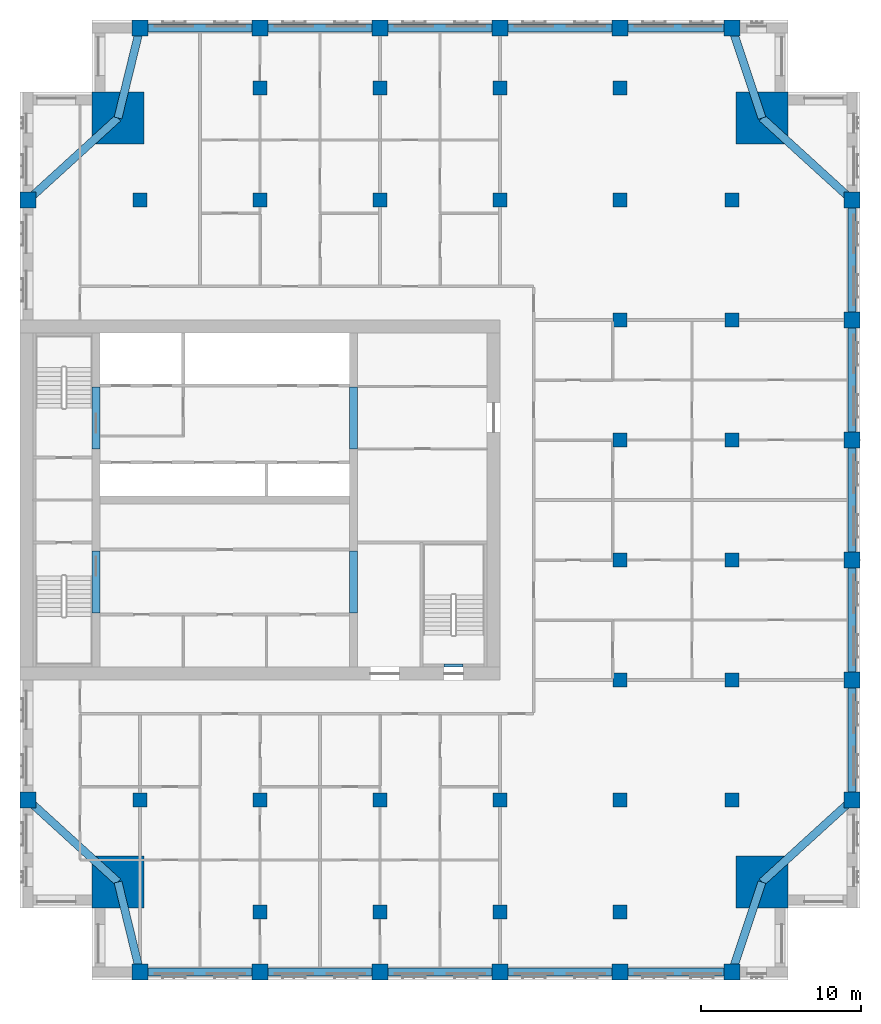
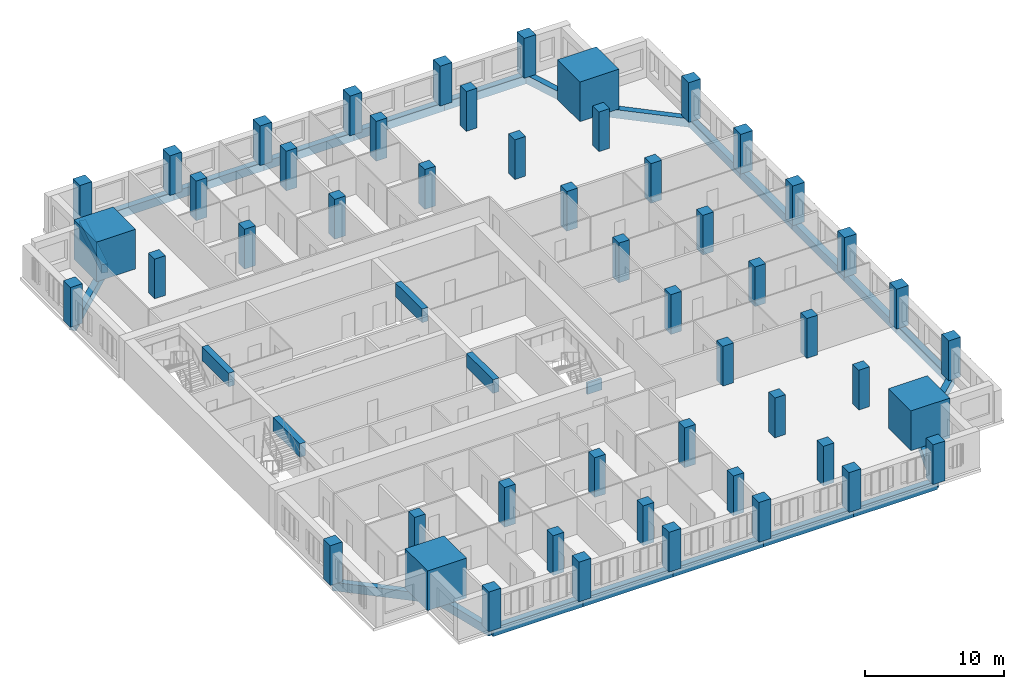
# One storey, part 1 of 14: 52 columns, 28 beams.
"""IFC4 building model written with IfcOpenShell, lengths in metres."""

from ifc_helpers import new_model, si_unit, direction, frame, origin, origin_2d, place, context, subcontext, project, spatial, rectangle, extrude, material, material_profile, profile_set, type_object, element, save


model = new_model("IFC4")

# Units and contexts
model_context = context("Model", 3, precision=1e-05, world=origin(), true_north=direction((0.0, 1.0)))
body_context = subcontext(model_context, "Body", "Model", "MODEL_VIEW")
ifc_project = project(units=[si_unit("LENGTHUNIT", "METRE"), si_unit("AREAUNIT", "SQUARE_METRE"), si_unit("VOLUMEUNIT", "CUBIC_METRE"), si_unit("PLANEANGLEUNIT", "RADIAN"), si_unit("MASSUNIT", "GRAM", prefix="KILO")], contexts=[model_context])

# Site, building, storey
site_placement = place(None, origin())
site = spatial("IfcSite", under=ifc_project, at=site_placement, CompositionType="ELEMENT")
building_placement = place(site_placement, origin())
building = spatial("IfcBuilding", under=site, at=building_placement, Name="Tamorin Gate", CompositionType="ELEMENT")
storey_placement = place(building_placement, frame((0.0, 0.0, 193.199951171875)))
storey = spatial("IfcBuildingStorey", under=building, at=storey_placement, Name="L47", CompositionType="ELEMENT", Elevation=193.199951171875)

# Columns
ifc_material_1 = material(Name="Concrete C60/75", Category="concrete")
ifc_material_profile_1 = material_profile(ifc_material_1, rectangle(XDim=1.0, YDim=1.0, at=origin_2d()), Name="RC 1000x1000")
ifc_profile_set_1 = profile_set([ifc_material_profile_1], Name="Concrete C60/75")
column_type_1 = type_object("IfcColumnType", Name="RC column 1000x1000 C60/75", PredefinedType="COLUMN", material=ifc_profile_set_1)
for number, where, z_axis, x_axis, name in (
    (1, (37.5, 41.75, 0.0), (0.0, 0.0, 1.0), (1.0, 0.0, 0.0), "Ring column L47"),
    (2, (45.0, 41.75, 0.0), (0.0, 0.0, 1.0), (1.0, 0.0, 0.0), "Ring column L47"),
    (3, (52.5, 41.75, 0.0), (0.0, 0.0, 1.0), (1.0, 0.0, 0.0), "Ring column L47"),
    (4, (60.0, 41.75, 0.0), (0.0, 0.0, 1.0), (1.0, 0.0, 0.0), "Ring column L47"),
    (5, (67.5, 41.75, 0.0), (0.0, 0.0, 1.0), (1.0, 0.0, 0.0), "Ring column L47"),
    (6, (74.5, 41.75, 0.0), (0.0, 0.0, 1.0), (1.0, 0.0, 0.0), "Ring column L47"),
    (7, (37.5, 100.75, 0.0), (0.0, 0.0, 1.0), (1.0, 0.0, 0.0), "Ring column L47"),
    (8, (45.0, 100.75, 0.0), (0.0, 0.0, 1.0), (1.0, 0.0, 0.0), "Ring column L47"),
    (9, (52.5, 100.75, 0.0), (0.0, 0.0, 1.0), (1.0, 0.0, 0.0), "Ring column L47"),
    (10, (60.0, 100.75, 0.0), (0.0, 0.0, 1.0), (1.0, 0.0, 0.0), "Ring column L47"),
    (11, (67.5, 100.75, 0.0), (0.0, 0.0, 1.0), (1.0, 0.0, 0.0), "Ring column L47"),
    (12, (74.5, 100.75, 0.0), (0.0, 0.0, 1.0), (1.0, 0.0, 0.0), "Ring column L47"),
    (13, (30.5, 52.5, 0.0), (0.0, 0.0, 1.0), (1.0, 0.0, 0.0), "Ring column L47"),
    (14, (30.5, 90.0, 0.0), (0.0, 0.0, 1.0), (1.0, 0.0, 0.0), "Ring column L47"),
    (15, (82.0, 52.5, 0.0), (0.0, 0.0, 1.0), (1.0, 0.0, 0.0), "Ring column L47"),
    (16, (82.0, 60.0, 0.0), (0.0, 0.0, 1.0), (1.0, 0.0, 0.0), "Ring column L47"),
    (17, (82.0, 67.5, 0.0), (0.0, 0.0, 1.0), (1.0, 0.0, 0.0), "Ring column L47"),
    (18, (82.0, 75.0, 0.0), (0.0, 0.0, 1.0), (1.0, 0.0, 0.0), "Ring column L47"),
    (19, (82.0, 82.5, 0.0), (0.0, 0.0, 1.0), (1.0, 0.0, 0.0), "Ring column L47"),
    (20, (82.0, 90.0, 0.0), (0.0, 0.0, 1.0), (1.0, 0.0, 0.0), "Ring column L47"),
):
    element("IfcColumn", number, at=place(storey_placement, frame(where, z_axis=z_axis, x_axis=x_axis)), inside=storey, type_object=column_type_1, Name=name, PredefinedType="COLUMN", context=body_context, shape_type="SweptSolid", body=[
        extrude(rectangle(XDim=1.0, YDim=1.0, at=origin_2d()), origin(), (0.0, 0.0, 1.0), 3.5),
    ])
ifc_material_profile_2 = material_profile(ifc_material_1, rectangle(XDim=3.25, YDim=3.25, at=origin_2d()), Name="RC 3250x3250")
ifc_profile_set_2 = profile_set([ifc_material_profile_2], Name="Concrete C60/75")
column_type_2 = type_object("IfcColumnType", Name="RC column 3250x3250 C60/75", PredefinedType="COLUMN", material=ifc_profile_set_2)
for number, where, z_axis, x_axis, name in (
    (21, (36.125, 47.375, 0.0), (0.0, 0.0, 1.0), (1.0, 0.0, 0.0), "Mega column SW L47"),
    (22, (76.375, 47.375, 0.0), (0.0, 0.0, 1.0), (1.0, 0.0, 0.0), "Mega column SE L47"),
    (23, (36.125, 95.125, 0.0), (0.0, 0.0, 1.0), (1.0, 0.0, 0.0), "Mega column NW L47"),
    (24, (76.375, 95.125, 0.0), (0.0, 0.0, 1.0), (1.0, 0.0, 0.0), "Mega column NE L47"),
):
    element("IfcColumn", number, at=place(storey_placement, frame(where, z_axis=z_axis, x_axis=x_axis)), inside=storey, type_object=column_type_2, Name=name, PredefinedType="COLUMN", context=body_context, shape_type="SweptSolid", body=[
        extrude(rectangle(XDim=3.25, YDim=3.25, at=origin_2d()), origin(), (0.0, 0.0, 1.0), 3.5),
    ])
ifc_material_profile_3 = material_profile(ifc_material_1, rectangle(XDim=0.89990234375, YDim=0.89990234375, at=origin_2d()), Name="RC 900x900")
ifc_profile_set_3 = profile_set([ifc_material_profile_3], Name="Concrete C60/75")
column_type_3 = type_object("IfcColumnType", Name="RC column 900x900 C60/75", PredefinedType="COLUMN", material=ifc_profile_set_3)
for number, where, z_axis, x_axis, name in (
    (25, (37.5, 52.5, 0.0), (0.0, 0.0, 1.0), (1.0, 0.0, 0.0), "Interior column L47"),
    (26, (37.5, 90.0, 0.0), (0.0, 0.0, 1.0), (1.0, 0.0, 0.0), "Interior column L47"),
    (27, (45.0, 45.5, 0.0), (0.0, 0.0, 1.0), (1.0, 0.0, 0.0), "Interior column L47"),
    (28, (45.0, 52.5, 0.0), (0.0, 0.0, 1.0), (1.0, 0.0, 0.0), "Interior column L47"),
    (29, (45.0, 90.0, 0.0), (0.0, 0.0, 1.0), (1.0, 0.0, 0.0), "Interior column L47"),
    (30, (45.0, 97.0, 0.0), (0.0, 0.0, 1.0), (1.0, 0.0, 0.0), "Interior column L47"),
    (31, (52.5, 45.5, 0.0), (0.0, 0.0, 1.0), (1.0, 0.0, 0.0), "Interior column L47"),
    (32, (52.5, 52.5, 0.0), (0.0, 0.0, 1.0), (1.0, 0.0, 0.0), "Interior column L47"),
    (33, (52.5, 90.0, 0.0), (0.0, 0.0, 1.0), (1.0, 0.0, 0.0), "Interior column L47"),
    (34, (52.5, 97.0, 0.0), (0.0, 0.0, 1.0), (1.0, 0.0, 0.0), "Interior column L47"),
    (35, (60.0, 45.5, 0.0), (0.0, 0.0, 1.0), (1.0, 0.0, 0.0), "Interior column L47"),
    (36, (60.0, 52.5, 0.0), (0.0, 0.0, 1.0), (1.0, 0.0, 0.0), "Interior column L47"),
    (37, (60.0, 90.0, 0.0), (0.0, 0.0, 1.0), (1.0, 0.0, 0.0), "Interior column L47"),
    (38, (60.0, 97.0, 0.0), (0.0, 0.0, 1.0), (1.0, 0.0, 0.0), "Interior column L47"),
    (39, (67.5, 45.5, 0.0), (0.0, 0.0, 1.0), (1.0, 0.0, 0.0), "Interior column L47"),
    (40, (67.5, 52.5, 0.0), (0.0, 0.0, 1.0), (1.0, 0.0, 0.0), "Interior column L47"),
    (41, (67.5, 60.0, 0.0), (0.0, 0.0, 1.0), (1.0, 0.0, 0.0), "Interior column L47"),
    (42, (67.5, 67.5, 0.0), (0.0, 0.0, 1.0), (1.0, 0.0, 0.0), "Interior column L47"),
    (43, (67.5, 75.0, 0.0), (0.0, 0.0, 1.0), (1.0, 0.0, 0.0), "Interior column L47"),
    (44, (67.5, 82.5, 0.0), (0.0, 0.0, 1.0), (1.0, 0.0, 0.0), "Interior column L47"),
    (45, (67.5, 90.0, 0.0), (0.0, 0.0, 1.0), (1.0, 0.0, 0.0), "Interior column L47"),
    (46, (67.5, 97.0, 0.0), (0.0, 0.0, 1.0), (1.0, 0.0, 0.0), "Interior column L47"),
    (47, (74.5, 52.5, 0.0), (0.0, 0.0, 1.0), (1.0, 0.0, 0.0), "Interior column L47"),
    (48, (74.5, 60.0, 0.0), (0.0, 0.0, 1.0), (1.0, 0.0, 0.0), "Interior column L47"),
    (49, (74.5, 67.5, 0.0), (0.0, 0.0, 1.0), (1.0, 0.0, 0.0), "Interior column L47"),
    (50, (74.5, 75.0, 0.0), (0.0, 0.0, 1.0), (1.0, 0.0, 0.0), "Interior column L47"),
    (51, (74.5, 82.5, 0.0), (0.0, 0.0, 1.0), (1.0, 0.0, 0.0), "Interior column L47"),
    (52, (74.5, 90.0, 0.0), (0.0, 0.0, 1.0), (1.0, 0.0, 0.0), "Interior column L47"),
):
    element("IfcColumn", number, at=place(storey_placement, frame(where, z_axis=z_axis, x_axis=x_axis)), inside=storey, type_object=column_type_3, Name=name, PredefinedType="COLUMN", context=body_context, shape_type="SweptSolid", body=[
        extrude(rectangle(XDim=0.89990234375, YDim=0.89990234375, at=origin_2d()), origin(), (0.0, 0.0, 1.0), 3.5),
    ])

# Beams
ifc_material_profile_4 = material_profile(ifc_material_1, rectangle(XDim=0.5, YDim=1.199951171875, at=origin_2d()), Name="RC 500x1200")
ifc_profile_set_4 = profile_set([ifc_material_profile_4], Name="Concrete C60/75")
beam_type_1 = type_object("IfcBeamType", Name="RC coupling beam 500x1200 C60/75", PredefinedType="BEAM", material=ifc_profile_set_4)
for number, where, z_axis, x_axis, name in (
    (53, (34.75, 64.199951171875, 2.900146484375), (0.0, 1.0, 0.0), (-1.0, 0.0, 0.0), "Coupling beam L47"),
    (54, (34.75, 74.449951171875, 2.900146484375), (0.0, 1.0, 0.0), (-1.0, 0.0, 0.0), "Coupling beam L47"),
    (55, (50.85009765625, 64.199951171875, 2.900146484375), (0.0, 1.0, 0.0), (-1.0, 0.0, 0.0), "Coupling beam L47"),
    (56, (50.85009765625, 74.449951171875, 2.900146484375), (0.0, 1.0, 0.0), (-1.0, 0.0, 0.0), "Coupling beam L47"),
):
    element("IfcBeam", number, at=place(storey_placement, frame(where, z_axis=z_axis, x_axis=x_axis)), inside=storey, type_object=beam_type_1, Name=name, PredefinedType="BEAM", context=body_context, shape_type="SweptSolid", body=[
        extrude(rectangle(XDim=0.5, YDim=1.199951171875, at=origin_2d()), origin(), (0.0, 0.0, 1.0), 3.85009765625),
    ])
ifc_material_2 = material(Name="Concrete C50/60", Category="concrete")
ifc_material_profile_5 = material_profile(ifc_material_2, rectangle(XDim=0.5, YDim=0.75, at=origin_2d()), Name="RC 500x750")
ifc_profile_set_5 = profile_set([ifc_material_profile_5], Name="Concrete C50/60")
beam_type_2 = type_object("IfcBeamType", Name="RC spandrel 500x750 C50/60", PredefinedType="BEAM", material=ifc_profile_set_5)
for number, where, z_axis, x_axis, name in (
    (57, (37.5, 41.75, -0.375), (1.0, 0.0, 0.0), (0.0, 1.0, 0.0), "Spandrel beam L47"),
    (58, (45.0, 41.75, -0.375), (1.0, 0.0, 0.0), (0.0, 1.0, 0.0), "Spandrel beam L47"),
    (59, (52.5, 41.75, -0.375), (1.0, 0.0, 0.0), (0.0, 1.0, 0.0), "Spandrel beam L47"),
    (60, (60.0, 41.75, -0.375), (1.0, 0.0, 0.0), (0.0, 1.0, 0.0), "Spandrel beam L47"),
):
    element("IfcBeam", number, at=place(storey_placement, frame(where, z_axis=z_axis, x_axis=x_axis)), inside=storey, type_object=beam_type_2, Name=name, PredefinedType="BEAM", context=body_context, shape_type="SweptSolid", body=[
        extrude(rectangle(XDim=0.5, YDim=0.75, at=origin_2d()), origin(), (0.0, 0.0, 1.0), 7.5),
    ])
beam_1_placement = place(storey_placement, frame((67.5, 41.75, -0.375), z_axis=(1.0, 0.0, 0.0), x_axis=(0.0, 1.0, 0.0)))
element("IfcBeam", 61, at=beam_1_placement, inside=storey, type_object=beam_type_2, Name="Spandrel beam L47", PredefinedType="BEAM", context=body_context, shape_type="SweptSolid", body=[
    extrude(rectangle(XDim=0.5, YDim=0.75, at=origin_2d()), origin(), (0.0, 0.0, 1.0), 7.0),
])
for number, where, z_axis, x_axis, name in (
    (62, (82.0, 52.5, -0.375), (0.0, 1.0, 0.0), (-1.0, 0.0, 0.0), "Spandrel beam L47"),
    (63, (82.0, 60.0, -0.375), (0.0, 1.0, 0.0), (-1.0, 0.0, 0.0), "Spandrel beam L47"),
    (64, (82.0, 67.5, -0.375), (0.0, 1.0, 0.0), (-1.0, 0.0, 0.0), "Spandrel beam L47"),
    (65, (82.0, 75.0, -0.375), (0.0, 1.0, 0.0), (-1.0, 0.0, 0.0), "Spandrel beam L47"),
    (66, (82.0, 82.5, -0.375), (0.0, 1.0, 0.0), (-1.0, 0.0, 0.0), "Spandrel beam L47"),
):
    element("IfcBeam", number, at=place(storey_placement, frame(where, z_axis=z_axis, x_axis=x_axis)), inside=storey, type_object=beam_type_2, Name=name, PredefinedType="BEAM", context=body_context, shape_type="SweptSolid", body=[
        extrude(rectangle(XDim=0.5, YDim=0.75, at=origin_2d()), origin(), (0.0, 0.0, 1.0), 7.5),
    ])
beam_2_placement = place(storey_placement, frame((74.5, 100.75, -0.375), z_axis=(-1.0, 0.0, 0.0), x_axis=(0.0, -1.0, 0.0)))
element("IfcBeam", 67, at=beam_2_placement, inside=storey, type_object=beam_type_2, Name="Spandrel beam L47", PredefinedType="BEAM", context=body_context, shape_type="SweptSolid", body=[
    extrude(rectangle(XDim=0.5, YDim=0.75, at=origin_2d()), origin(), (0.0, 0.0, 1.0), 7.0),
])
for number, where, z_axis, x_axis, name in (
    (68, (67.5, 100.75, -0.375), (-1.0, 0.0, 0.0), (0.0, -1.0, 0.0), "Spandrel beam L47"),
    (69, (60.0, 100.75, -0.375), (-1.0, 0.0, 0.0), (0.0, -1.0, 0.0), "Spandrel beam L47"),
    (70, (52.5, 100.75, -0.375), (-1.0, 0.0, 0.0), (0.0, -1.0, 0.0), "Spandrel beam L47"),
    (71, (45.0, 100.75, -0.375), (-1.0, 0.0, 0.0), (0.0, -1.0, 0.0), "Spandrel beam L47"),
):
    element("IfcBeam", number, at=place(storey_placement, frame(where, z_axis=z_axis, x_axis=x_axis)), inside=storey, type_object=beam_type_2, Name=name, PredefinedType="BEAM", context=body_context, shape_type="SweptSolid", body=[
        extrude(rectangle(XDim=0.5, YDim=0.75, at=origin_2d()), origin(), (0.0, 0.0, 1.0), 7.5),
    ])
beam_3_placement = place(storey_placement, frame((36.125, 47.375, -0.375), z_axis=(0.237453090477, -0.971399006497, 0.0), x_axis=(0.971399006497, 0.237453090477, 0.0)))
element("IfcBeam", 72, at=beam_3_placement, inside=storey, type_object=beam_type_2, Name="Corner tie beam L47", PredefinedType="BEAM", context=body_context, shape_type="SweptSolid", body=[
    extrude(rectangle(XDim=0.5, YDim=0.75, at=origin_2d()), origin(), (0.0, 0.0, 1.0), 5.79052734375),
])
beam_4_placement = place(storey_placement, frame((36.125, 47.375, -0.375), z_axis=(-0.739196337275, 0.673489996184, 0.0), x_axis=(-0.673489996184, -0.739196337275, 0.0)))
element("IfcBeam", 73, at=beam_4_placement, inside=storey, type_object=beam_type_2, Name="Corner tie beam L47", PredefinedType="BEAM", context=body_context, shape_type="SweptSolid", body=[
    extrude(rectangle(XDim=0.5, YDim=0.75, at=origin_2d()), origin(), (0.0, 0.0, 1.0), 7.609619140625),
])
beam_5_placement = place(storey_placement, frame((76.375, 47.375, -0.375), z_axis=(-0.316227766017, -0.948683298051, 0.0), x_axis=(0.948683298051, -0.316227766017, 0.0)))
element("IfcBeam", 74, at=beam_5_placement, inside=storey, type_object=beam_type_2, Name="Corner tie beam L47", PredefinedType="BEAM", context=body_context, shape_type="SweptSolid", body=[
    extrude(rectangle(XDim=0.5, YDim=0.75, at=origin_2d()), origin(), (0.0, 0.0, 1.0), 5.92919921875),
])
beam_6_placement = place(storey_placement, frame((76.375, 47.375, -0.375), z_axis=(0.739196337275, 0.673489996184, 0.0), x_axis=(-0.673489996184, 0.739196337275, 0.0)))
element("IfcBeam", 75, at=beam_6_placement, inside=storey, type_object=beam_type_2, Name="Corner tie beam L47", PredefinedType="BEAM", context=body_context, shape_type="SweptSolid", body=[
    extrude(rectangle(XDim=0.5, YDim=0.75, at=origin_2d()), origin(), (0.0, 0.0, 1.0), 7.609619140625),
])
beam_7_placement = place(storey_placement, frame((36.125, 95.125, -0.375), z_axis=(0.237453090477, 0.971399006497, 0.0), x_axis=(-0.971399006497, 0.237453090477, 0.0)))
element("IfcBeam", 76, at=beam_7_placement, inside=storey, type_object=beam_type_2, Name="Corner tie beam L47", PredefinedType="BEAM", context=body_context, shape_type="SweptSolid", body=[
    extrude(rectangle(XDim=0.5, YDim=0.75, at=origin_2d()), origin(), (0.0, 0.0, 1.0), 5.79052734375),
])
beam_8_placement = place(storey_placement, frame((36.125, 95.125, -0.375), z_axis=(-0.739196337275, -0.673489996184, 0.0), x_axis=(0.673489996184, -0.739196337275, 0.0)))
element("IfcBeam", 77, at=beam_8_placement, inside=storey, type_object=beam_type_2, Name="Corner tie beam L47", PredefinedType="BEAM", context=body_context, shape_type="SweptSolid", body=[
    extrude(rectangle(XDim=0.5, YDim=0.75, at=origin_2d()), origin(), (0.0, 0.0, 1.0), 7.609619140625),
])
beam_9_placement = place(storey_placement, frame((76.375, 95.125, -0.375), z_axis=(-0.316227766017, 0.948683298051, 0.0), x_axis=(-0.948683298051, -0.316227766017, 0.0)))
element("IfcBeam", 78, at=beam_9_placement, inside=storey, type_object=beam_type_2, Name="Corner tie beam L47", PredefinedType="BEAM", context=body_context, shape_type="SweptSolid", body=[
    extrude(rectangle(XDim=0.5, YDim=0.75, at=origin_2d()), origin(), (0.0, 0.0, 1.0), 5.92919921875),
])
beam_10_placement = place(storey_placement, frame((76.375, 95.125, -0.375), z_axis=(0.739196337275, -0.673489996184, 0.0), x_axis=(0.673489996184, 0.739196337275, 0.0)))
element("IfcBeam", 79, at=beam_10_placement, inside=storey, type_object=beam_type_2, Name="Corner tie beam L47", PredefinedType="BEAM", context=body_context, shape_type="SweptSolid", body=[
    extrude(rectangle(XDim=0.5, YDim=0.75, at=origin_2d()), origin(), (0.0, 0.0, 1.0), 7.609619140625),
])
ifc_material_profile_6 = material_profile(ifc_material_1, rectangle(XDim=0.199951171875, YDim=1.0, at=origin_2d()))
ifc_profile_set_6 = profile_set([ifc_material_profile_6], Name="Concrete C60/75")
beam_type_3 = type_object("IfcBeamType", Name="Stair lintel 200x1000 C60/75", PredefinedType="BEAM", material=ifc_profile_set_6)
beam_11_placement = place(storey_placement, frame((56.5, 60.89990234375, 2.699951171875), z_axis=(1.0, 0.0, 0.0), x_axis=(0.0, 1.0, 0.0)))
element("IfcBeam", 80, at=beam_11_placement, inside=storey, type_object=beam_type_3, Name="Stair lintel", PredefinedType="BEAM", context=body_context, shape_type="SweptSolid", body=[
    extrude(rectangle(XDim=0.199951171875, YDim=1.0, at=origin_2d()), origin(), (0.0, 0.0, 1.0), 1.199951171875),
])

save(model, "model.ifc")
